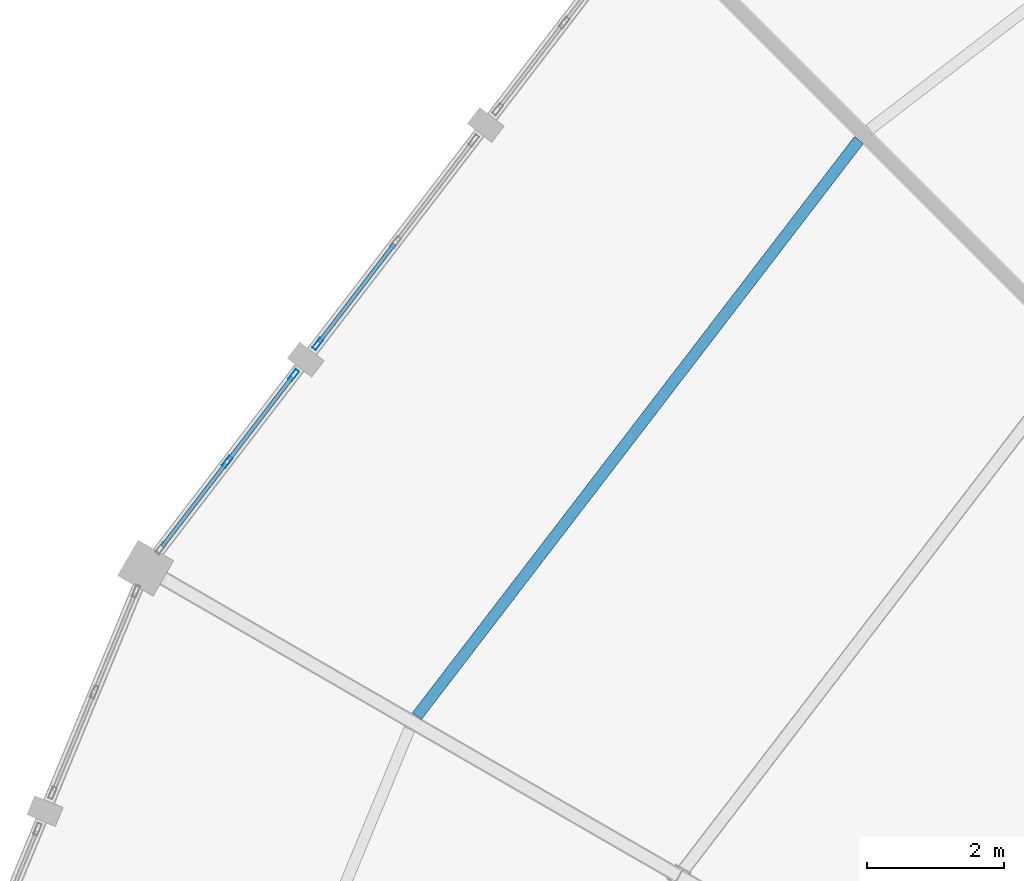
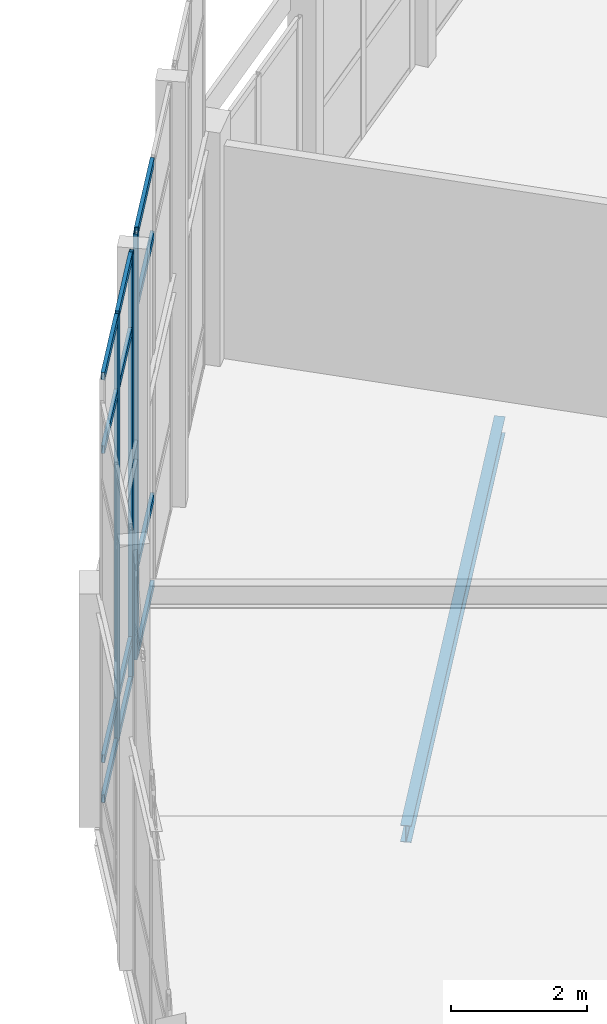
# One storey, part 87 of 200: 15 members, 1 beam, 2 elements without a shape of their own.
"""IFC4 building model written with IfcOpenShell, lengths in metres."""

from ifc_helpers import new_model, si_unit, direction, frame, origin, origin_2d, place, context, subcontext, project, spatial, hollow_rectangle, i_section, extrude, material, material_profile, profile_set, type_object, element, aggregate, save


model = new_model("IFC4")

# Units and contexts
model_context = context("Model", 3, precision=1e-05, world=origin(), true_north=direction((0.0, 1.0)))
body_context = subcontext(model_context, "Body", "Model", "MODEL_VIEW")
ifc_project = project(units=[si_unit("LENGTHUNIT", "METRE"), si_unit("AREAUNIT", "SQUARE_METRE"), si_unit("VOLUMEUNIT", "CUBIC_METRE"), si_unit("PLANEANGLEUNIT", "RADIAN"), si_unit("MASSUNIT", "GRAM", prefix="KILO")], contexts=[model_context])

# Site, building, storey
site_placement = place(None, origin())
site = spatial("IfcSite", under=ifc_project, at=site_placement, CompositionType="ELEMENT")
building_placement = place(site_placement, origin())
building = spatial("IfcBuilding", under=site, at=building_placement, Name="Vondelvale Polytechnic", CompositionType="ELEMENT")
storey_placement = place(building_placement, frame((0.0, 0.0, 13.800048828125)))
storey = spatial("IfcBuildingStorey", under=building, at=storey_placement, Name="L03", CompositionType="ELEMENT", Elevation=13.800048828125)

# Curtain wall, member
ifc_material_1 = material(Name="Glulam GL18 structural Tasmanian oak (fb = 42 MPa)", Category="wood")
curtain_wall_type = type_object("IfcCurtainWallType", Name="CW-RING-OUTER", PredefinedType="NOTDEFINED", material=ifc_material_1)
curtain_wall_1_placement = place(storey_placement, origin())
curtain_wall_1 = element("IfcCurtainWall", 1, at=curtain_wall_1_placement, inside=storey, type_object=curtain_wall_type, Name="L03 architectural curtain wall CW-04-223", PredefinedType="NOTDEFINED")
ifc_material_2 = material(Name="Anodised extruded aluminium 6063-T6", Category="aluminium")
ifc_material_profile_1 = material_profile(ifc_material_2, hollow_rectangle(XDim=0.06494140625, YDim=0.179931640625, WallThickness=0.00390625, at=origin_2d()), Name="CW-MUL-180x65")
ifc_profile_set_1 = profile_set([ifc_material_profile_1], Name="Anodised extruded aluminium 6063-T6")
member_type_1 = type_object("IfcMemberType", Name="CW-MUL-65x180", PredefinedType="MULLION", material=ifc_profile_set_1)
member_1_placement = place(storey_placement, frame((64.677001953125, 98.276611328125, 0.0), z_axis=(0.0, 0.0, 1.0), x_axis=(0.793345851043, -0.608771189063, 0.0)))
member_1 = element("IfcMember", 2, at=member_1_placement, type_object=member_type_1, Name="CW-04-223 mullion 3", PredefinedType="MULLION", context=body_context, shape_type="SweptSolid", body=[
    extrude(hollow_rectangle(XDim=0.06494140625, YDim=0.179931640625, WallThickness=0.00390625, at=origin_2d()), origin(), (0.0, 0.0, 1.0), 7.661376953125),
])

# Curtain wall, members
curtain_wall_2_placement = place(storey_placement, origin())
curtain_wall_2 = element("IfcCurtainWall", 3, at=curtain_wall_2_placement, inside=storey, type_object=curtain_wall_type, Name="L03 architectural curtain wall CW-04-224", PredefinedType="NOTDEFINED")
member_2_placement = place(storey_placement, frame((64.3271484375, 97.820556640625, 0.0), z_axis=(0.0, 0.0, 1.0), x_axis=(0.793333825656, -0.608786860133, 0.0)))
member_2 = element("IfcMember", 4, at=member_2_placement, type_object=member_type_1, Name="CW-04-224 mullion 1", PredefinedType="MULLION", context=body_context, shape_type="SweptSolid", body=[
    extrude(hollow_rectangle(XDim=0.06494140625, YDim=0.179931640625, WallThickness=0.00390625, at=origin_2d()), origin(), (0.0, 0.0, 1.0), 7.661376953125),
])
member_3_placement = place(storey_placement, frame((63.356201171875, 96.55517578125, 0.0), z_axis=(0.0, 0.0, 1.0), x_axis=(0.793333825656, -0.608786860133, 0.0)))
member_3 = element("IfcMember", 5, at=member_3_placement, type_object=member_type_1, Name="CW-04-224 mullion 2", PredefinedType="MULLION", context=body_context, shape_type="SweptSolid", body=[
    extrude(hollow_rectangle(XDim=0.06494140625, YDim=0.179931640625, WallThickness=0.00390625, at=origin_2d()), origin(), (0.0, 0.0, 1.0), 7.661376953125),
])

# Member
ifc_material_profile_2 = material_profile(ifc_material_2, hollow_rectangle(XDim=0.06005859375, YDim=0.139892578125, WallThickness=0.00341796875, at=origin_2d()), Name="CW-TRN-140x60")
ifc_profile_set_2 = profile_set([ifc_material_profile_2], Name="Anodised extruded aluminium 6063-T6")
member_type_2 = type_object("IfcMemberType", Name="CW-TRN-60x140", PredefinedType="USERDEFINED", material=ifc_profile_set_2)
member_4_placement = place(storey_placement, frame((65.798095703125, 99.737548828125, 0.030029296875), z_axis=(-0.608816809849, -0.793310842007, 0.0), x_axis=(0.793310842007, -0.608816809849, 0.0)))
member_4 = element("IfcMember", 6, at=member_4_placement, type_object=member_type_2, Name="CW-04-223 transom 2.1", ObjectType="TRANSOM", PredefinedType="USERDEFINED", context=body_context, shape_type="SweptSolid", body=[
    extrude(hollow_rectangle(XDim=0.06005859375, YDim=0.139892578125, WallThickness=0.00341796875, at=origin_2d()), origin(), (0.0, 0.0, 1.0), 1.808837890625),
])

member_5_placement = place(storey_placement, frame((65.798095703125, 99.737548828125, 1.599853515625), z_axis=(-0.608816809849, -0.793310842007, 0.0), x_axis=(0.793310842007, -0.608816809849, 0.0)))
member_5 = element("IfcMember", 7, at=member_5_placement, type_object=member_type_2, Name="CW-04-223 transom 2.2", ObjectType="TRANSOM", PredefinedType="USERDEFINED", context=body_context, shape_type="SweptSolid", body=[
    extrude(hollow_rectangle(XDim=0.06005859375, YDim=0.139892578125, WallThickness=0.00341796875, at=origin_2d()), origin(), (0.0, 0.0, 1.0), 1.808837890625),
])

member_6_placement = place(storey_placement, frame((65.798095703125, 99.737548828125, 6.311279296875), z_axis=(-0.608816809849, -0.793310842007, 0.0), x_axis=(0.793310842007, -0.608816809849, 0.0)))
member_6 = element("IfcMember", 8, at=member_6_placement, type_object=member_type_2, Name="CW-04-223 transom 2.3", ObjectType="TRANSOM", PredefinedType="USERDEFINED", context=body_context, shape_type="SweptSolid", body=[
    extrude(hollow_rectangle(XDim=0.06005859375, YDim=0.139892578125, WallThickness=0.00341796875, at=origin_2d()), origin(), (0.0, 0.0, 1.0), 1.808837890625),
])

member_7_placement = place(storey_placement, frame((65.798095703125, 99.737548828125, 7.63134765625), z_axis=(-0.608816809849, -0.793310842007, 0.0), x_axis=(0.793310842007, -0.608816809849, 0.0)))
member_7 = element("IfcMember", 9, at=member_7_placement, type_object=member_type_2, Name="CW-04-223 transom 2.4", ObjectType="TRANSOM", PredefinedType="USERDEFINED", context=body_context, shape_type="SweptSolid", body=[
    extrude(hollow_rectangle(XDim=0.06005859375, YDim=0.139892578125, WallThickness=0.00341796875, at=origin_2d()), origin(), (0.0, 0.0, 1.0), 1.808837890625),
])

aggregate(curtain_wall_1, [member_1, member_4, member_5, member_6, member_7])

member_8_placement = place(storey_placement, frame((64.307373046875, 97.794677734375, 0.030029296875), z_axis=(-0.60882345649, -0.793305741078, 0.0), x_axis=(0.793305741078, -0.60882345649, 0.0)))
member_8 = element("IfcMember", 10, at=member_8_placement, type_object=member_type_2, Name="CW-04-224 transom 1.1", ObjectType="TRANSOM", PredefinedType="USERDEFINED", context=body_context, shape_type="SweptSolid", body=[
    extrude(hollow_rectangle(XDim=0.06005859375, YDim=0.139892578125, WallThickness=0.00341796875, at=origin_2d()), origin(), (0.0, 0.0, 1.0), 1.52978515625),
])

member_9_placement = place(storey_placement, frame((64.307373046875, 97.794677734375, 0.75), z_axis=(-0.60882345649, -0.793305741078, 0.0), x_axis=(0.793305741078, -0.60882345649, 0.0)))
member_9 = element("IfcMember", 11, at=member_9_placement, type_object=member_type_2, Name="CW-04-224 transom 1.2", ObjectType="TRANSOM", PredefinedType="USERDEFINED", context=body_context, shape_type="SweptSolid", body=[
    extrude(hollow_rectangle(XDim=0.06005859375, YDim=0.139892578125, WallThickness=0.00341796875, at=origin_2d()), origin(), (0.0, 0.0, 1.0), 1.52978515625),
])

member_10_placement = place(storey_placement, frame((64.307373046875, 97.794677734375, 6.311279296875), z_axis=(-0.60882345649, -0.793305741078, 0.0), x_axis=(0.793305741078, -0.60882345649, 0.0)))
member_10 = element("IfcMember", 12, at=member_10_placement, type_object=member_type_2, Name="CW-04-224 transom 1.3", ObjectType="TRANSOM", PredefinedType="USERDEFINED", context=body_context, shape_type="SweptSolid", body=[
    extrude(hollow_rectangle(XDim=0.06005859375, YDim=0.139892578125, WallThickness=0.00341796875, at=origin_2d()), origin(), (0.0, 0.0, 1.0), 1.52978515625),
])

member_11_placement = place(storey_placement, frame((64.307373046875, 97.794677734375, 7.63134765625), z_axis=(-0.60882345649, -0.793305741078, 0.0), x_axis=(0.793305741078, -0.60882345649, 0.0)))
member_11 = element("IfcMember", 13, at=member_11_placement, type_object=member_type_2, Name="CW-04-224 transom 1.4", ObjectType="TRANSOM", PredefinedType="USERDEFINED", context=body_context, shape_type="SweptSolid", body=[
    extrude(hollow_rectangle(XDim=0.06005859375, YDim=0.139892578125, WallThickness=0.00341796875, at=origin_2d()), origin(), (0.0, 0.0, 1.0), 1.52978515625),
])

member_12_placement = place(storey_placement, frame((63.33642578125, 96.529296875, 0.030029296875), z_axis=(-0.608923875222, -0.7932286645, 0.0), x_axis=(0.7932286645, -0.608923875222, 0.0)))
member_12 = element("IfcMember", 14, at=member_12_placement, type_object=member_type_2, Name="CW-04-224 transom 2.1", ObjectType="TRANSOM", PredefinedType="USERDEFINED", context=body_context, shape_type="SweptSolid", body=[
    extrude(hollow_rectangle(XDim=0.06005859375, YDim=0.139892578125, WallThickness=0.00341796875, at=origin_2d()), origin(), (0.0, 0.0, 1.0), 1.530029296875),
])

member_13_placement = place(storey_placement, frame((63.33642578125, 96.529296875, 0.75), z_axis=(-0.608923875222, -0.7932286645, 0.0), x_axis=(0.7932286645, -0.608923875222, 0.0)))
member_13 = element("IfcMember", 15, at=member_13_placement, type_object=member_type_2, Name="CW-04-224 transom 2.2", ObjectType="TRANSOM", PredefinedType="USERDEFINED", context=body_context, shape_type="SweptSolid", body=[
    extrude(hollow_rectangle(XDim=0.06005859375, YDim=0.139892578125, WallThickness=0.00341796875, at=origin_2d()), origin(), (0.0, 0.0, 1.0), 1.530029296875),
])

member_14_placement = place(storey_placement, frame((63.33642578125, 96.529296875, 6.311279296875), z_axis=(-0.608923875222, -0.7932286645, 0.0), x_axis=(0.7932286645, -0.608923875222, 0.0)))
member_14 = element("IfcMember", 16, at=member_14_placement, type_object=member_type_2, Name="CW-04-224 transom 2.3", ObjectType="TRANSOM", PredefinedType="USERDEFINED", context=body_context, shape_type="SweptSolid", body=[
    extrude(hollow_rectangle(XDim=0.06005859375, YDim=0.139892578125, WallThickness=0.00341796875, at=origin_2d()), origin(), (0.0, 0.0, 1.0), 1.530029296875),
])

member_15_placement = place(storey_placement, frame((63.33642578125, 96.529296875, 7.63134765625), z_axis=(-0.608923875222, -0.7932286645, 0.0), x_axis=(0.7932286645, -0.608923875222, 0.0)))
member_15 = element("IfcMember", 17, at=member_15_placement, type_object=member_type_2, Name="CW-04-224 transom 2.4", ObjectType="TRANSOM", PredefinedType="USERDEFINED", context=body_context, shape_type="SweptSolid", body=[
    extrude(hollow_rectangle(XDim=0.06005859375, YDim=0.139892578125, WallThickness=0.00341796875, at=origin_2d()), origin(), (0.0, 0.0, 1.0), 1.530029296875),
])

aggregate(curtain_wall_2, [member_2, member_3, member_8, member_9, member_10, member_11, member_12, member_13, member_14, member_15])

# Beam
ifc_material_3 = material(Name="Steel 300PLUS (fy = 300 MPa)", Category="steel")
ifc_material_profile_3 = material_profile(ifc_material_3, i_section(OverallWidth=0.1650390625, OverallDepth=0.303955078125, WebThickness=0.006103515625, FlangeThickness=0.01025390625, FilletRadius=0.011474609375, at=origin_2d()), Name="310UB40.4")
ifc_profile_set_3 = profile_set([ifc_material_profile_3], Name="Steel 300PLUS (fy = 300 MPa)")
beam_type = type_object("IfcBeamType", Name="JST-UB310", PredefinedType="JOIST", material=ifc_profile_set_3)
beam_placement = place(storey_placement, frame((72.588134765625, 101.257568359375, -0.402099609375), z_axis=(-0.608770977523, -0.793346013368, 0.0), x_axis=(0.793346013368, -0.608770977523, 0.0)))
element("IfcBeam", 18, at=beam_placement, inside=storey, type_object=beam_type, Name="L03 RJ J-05", PredefinedType="JOIST", context=body_context, shape_type="SweptSolid", body=[
    extrude(i_section(OverallWidth=0.1650390625, OverallDepth=0.303955078125, WebThickness=0.006103515625, FlangeThickness=0.01025390625, FilletRadius=0.011474609375, at=origin_2d()), origin(), (0.0, 0.0, 1.0), 10.613525390625),
])

save(model, "model.ifc")
